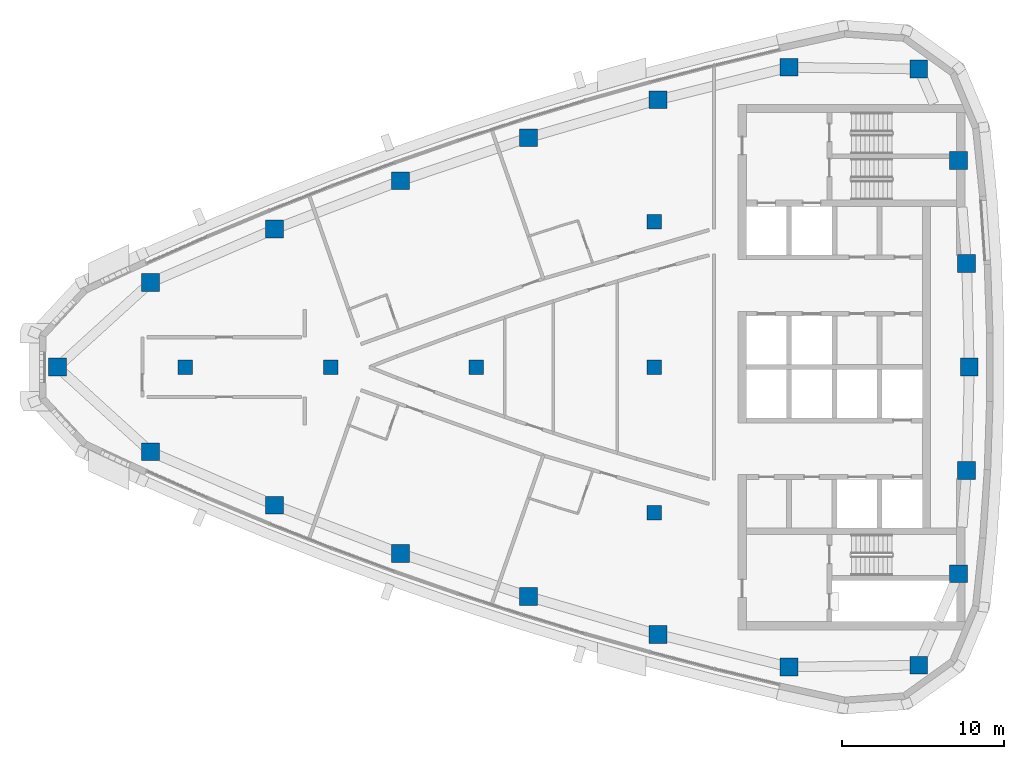
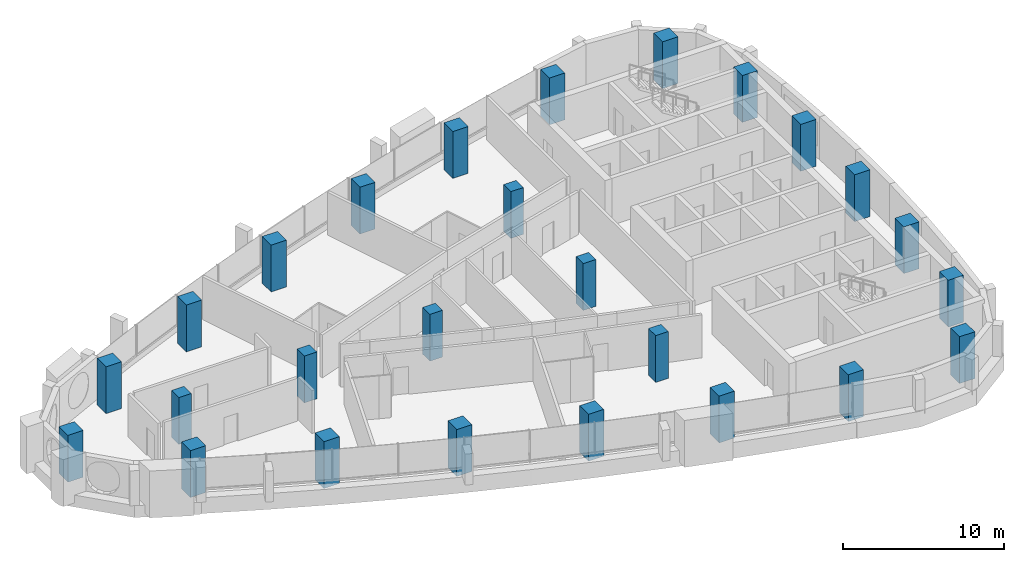
# One storey, part 1 of 13: 26 columns.
"""IFC4 building model written with IfcOpenShell, lengths in metres."""

from ifc_helpers import new_model, si_unit, direction, frame, origin, origin_2d, place, context, subcontext, project, spatial, rectangle, extrude, material, material_profile, profile_set, type_object, element, save


model = new_model("IFC4")

# Units and contexts
model_context = context("Model", 3, precision=1e-05, world=origin(), true_north=direction((0.0, 1.0)))
body_context = subcontext(model_context, "Body", "Model", "MODEL_VIEW")
ifc_project = project(units=[si_unit("LENGTHUNIT", "METRE"), si_unit("AREAUNIT", "SQUARE_METRE"), si_unit("VOLUMEUNIT", "CUBIC_METRE"), si_unit("PLANEANGLEUNIT", "RADIAN"), si_unit("MASSUNIT", "GRAM", prefix="KILO")], contexts=[model_context])

# Site, building, storey
site_placement = place(None, origin())
site = spatial("IfcSite", under=ifc_project, at=site_placement, CompositionType="ELEMENT")
building_placement = place(site_placement, origin())
building = spatial("IfcBuilding", under=site, at=building_placement, Name="Ostrand Prow Hotel Tower", CompositionType="ELEMENT")
storey_placement = place(building_placement, frame((0.0, 0.0, 282.10009765625)))
storey = spatial("IfcBuildingStorey", under=building, at=storey_placement, Name="L71", CompositionType="ELEMENT", Elevation=282.10009765625)

# Columns
ifc_material_1 = material(Name="Concrete C50/60", Category="concrete")
ifc_material_profile_1 = material_profile(ifc_material_1, rectangle(XDim=0.89990234375, YDim=0.89990234375, at=origin_2d()), Name="RC 900x900")
ifc_profile_set_1 = profile_set([ifc_material_profile_1], Name="Concrete C50/60")
column_type_1 = type_object("IfcColumnType", Name="Interior column 900x900 C50/60", PredefinedType="COLUMN", material=ifc_profile_set_1)
for number, where, z_axis, x_axis, name in (
    (1, (16.0, 0.0, 0.0), (0.0, 0.0, 1.0), (1.0, 0.0, 0.0), "Interior column 16C0"),
    (2, (25.0, 0.0, 0.0), (0.0, 0.0, 1.0), (1.0, 0.0, 0.0), "Interior column 25C0"),
    (3, (34.0, 0.0, 0.0), (0.0, 0.0, 1.0), (1.0, 0.0, 0.0), "Interior column 34C0"),
    (4, (45.0, -9.0, 0.0), (0.0, 0.0, 1.0), (1.0, 0.0, 0.0), "Interior column 45S9"),
    (5, (45.0, 0.0, 0.0), (0.0, 0.0, 1.0), (1.0, 0.0, 0.0), "Interior column 45C0"),
    (6, (45.0, 9.0, 0.0), (0.0, 0.0, 1.0), (1.0, 0.0, 0.0), "Interior column 45N9"),
):
    element("IfcColumn", number, at=place(storey_placement, frame(where, z_axis=z_axis, x_axis=x_axis)), inside=storey, type_object=column_type_1, Name=name, PredefinedType="COLUMN", context=body_context, shape_type="SweptSolid", body=[
        extrude(rectangle(XDim=0.89990234375, YDim=0.89990234375, at=origin_2d()), origin(), (0.0, 0.0, 1.0), 3.5498046875),
    ])
ifc_material_2 = material(Name="Concrete C50/60", Category="concrete")
ifc_material_profile_2 = material_profile(ifc_material_2, rectangle(XDim=1.10009765625, YDim=1.10009765625, at=origin_2d()), Name="RC 1100x1100")
ifc_profile_set_2 = profile_set([ifc_material_profile_2], Name="Concrete C50/60")
column_type_2 = type_object("IfcColumnType", Name="Stone-faced mega column 1100x1100 C50/60", PredefinedType="COLUMN", material=ifc_profile_set_2)
for number, where, z_axis, x_axis, name in (
    (7, (8.082763671875, 0.0, 0.0), (0.0, 0.0, 1.0), (1.0, 0.0, 0.0), "Mega column P"),
    (8, (13.846435546875, -5.23681640625, 0.0), (0.0, 0.0, 1.0), (1.0, 0.0, 0.0), "Mega column S1"),
    (9, (21.51416015625, -8.5400390625, 0.0), (0.0, 0.0, 1.0), (1.0, 0.0, 0.0), "Mega column S2"),
    (10, (29.31005859375, -11.528076171875, 0.0), (0.0, 0.0, 1.0), (1.0, 0.0, 0.0), "Mega column S3"),
    (11, (37.22119140625, -14.19580078125, 0.0), (0.0, 0.0, 1.0), (1.0, 0.0, 0.0), "Mega column S4"),
    (12, (45.234619140625, -16.53857421875, 0.0), (0.0, 0.0, 1.0), (1.0, 0.0, 0.0), "Mega column S5"),
    (13, (53.3369140625, -18.552978515625, 0.0), (0.0, 0.0, 1.0), (1.0, 0.0, 0.0), "Mega column S6"),
    (14, (61.374267578125, -18.439697265625, 0.0), (0.0, 0.0, 1.0), (1.0, 0.0, 0.0), "Mega column SE"),
    (15, (63.831787109375, -12.7890625, 0.0), (0.0, 0.0, 1.0), (1.0, 0.0, 0.0), "Mega column B1"),
    (16, (64.332763671875, -6.4033203125, 0.0), (0.0, 0.0, 1.0), (1.0, 0.0, 0.0), "Mega column B2"),
    (17, (64.5, 0.0, 0.0), (0.0, 0.0, 1.0), (1.0, 0.0, 0.0), "Mega column B3"),
    (18, (64.332763671875, 6.4033203125, 0.0), (0.0, 0.0, 1.0), (1.0, 0.0, 0.0), "Mega column B4"),
    (19, (63.831787109375, 12.7890625, 0.0), (0.0, 0.0, 1.0), (1.0, 0.0, 0.0), "Mega column B5"),
    (20, (61.374267578125, 18.439697265625, 0.0), (0.0, 0.0, 1.0), (1.0, 0.0, 0.0), "Mega column NE"),
    (21, (53.3369140625, 18.552978515625, 0.0), (0.0, 0.0, 1.0), (1.0, 0.0, 0.0), "Mega column N1"),
    (22, (45.234619140625, 16.53857421875, 0.0), (0.0, 0.0, 1.0), (1.0, 0.0, 0.0), "Mega column N2"),
    (23, (37.22119140625, 14.19580078125, 0.0), (0.0, 0.0, 1.0), (1.0, 0.0, 0.0), "Mega column N3"),
    (24, (29.31005859375, 11.528076171875, 0.0), (0.0, 0.0, 1.0), (1.0, 0.0, 0.0), "Mega column N4"),
    (25, (21.51416015625, 8.5400390625, 0.0), (0.0, 0.0, 1.0), (1.0, 0.0, 0.0), "Mega column N5"),
    (26, (13.846435546875, 5.23681640625, 0.0), (0.0, 0.0, 1.0), (1.0, 0.0, 0.0), "Mega column N6"),
):
    element("IfcColumn", number, at=place(storey_placement, frame(where, z_axis=z_axis, x_axis=x_axis)), inside=storey, type_object=column_type_2, Name=name, PredefinedType="COLUMN", context=body_context, shape_type="SweptSolid", body=[
        extrude(rectangle(XDim=1.10009765625, YDim=1.10009765625, at=origin_2d()), origin(), (0.0, 0.0, 1.0), 3.5498046875),
    ])

save(model, "model.ifc")
